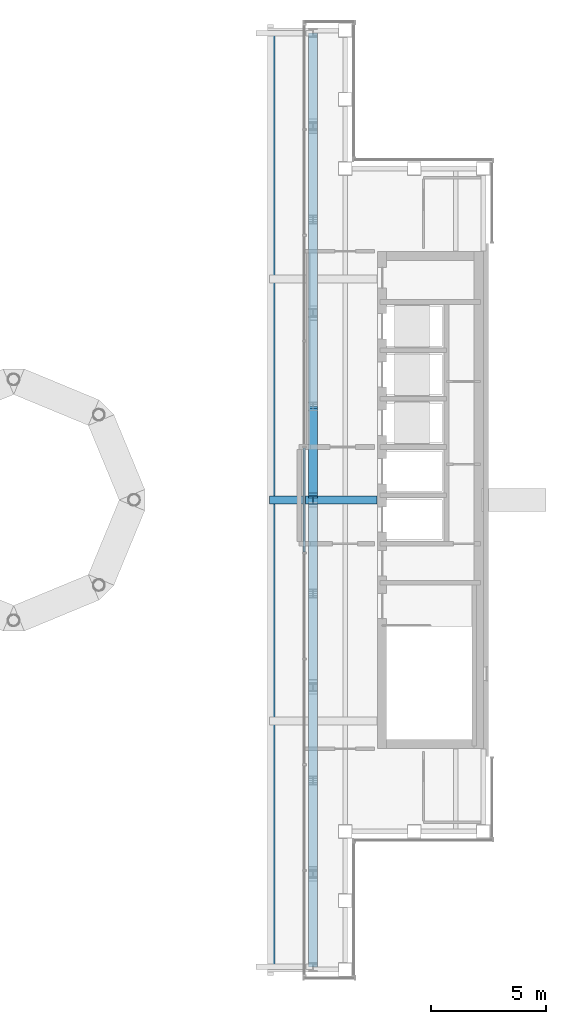
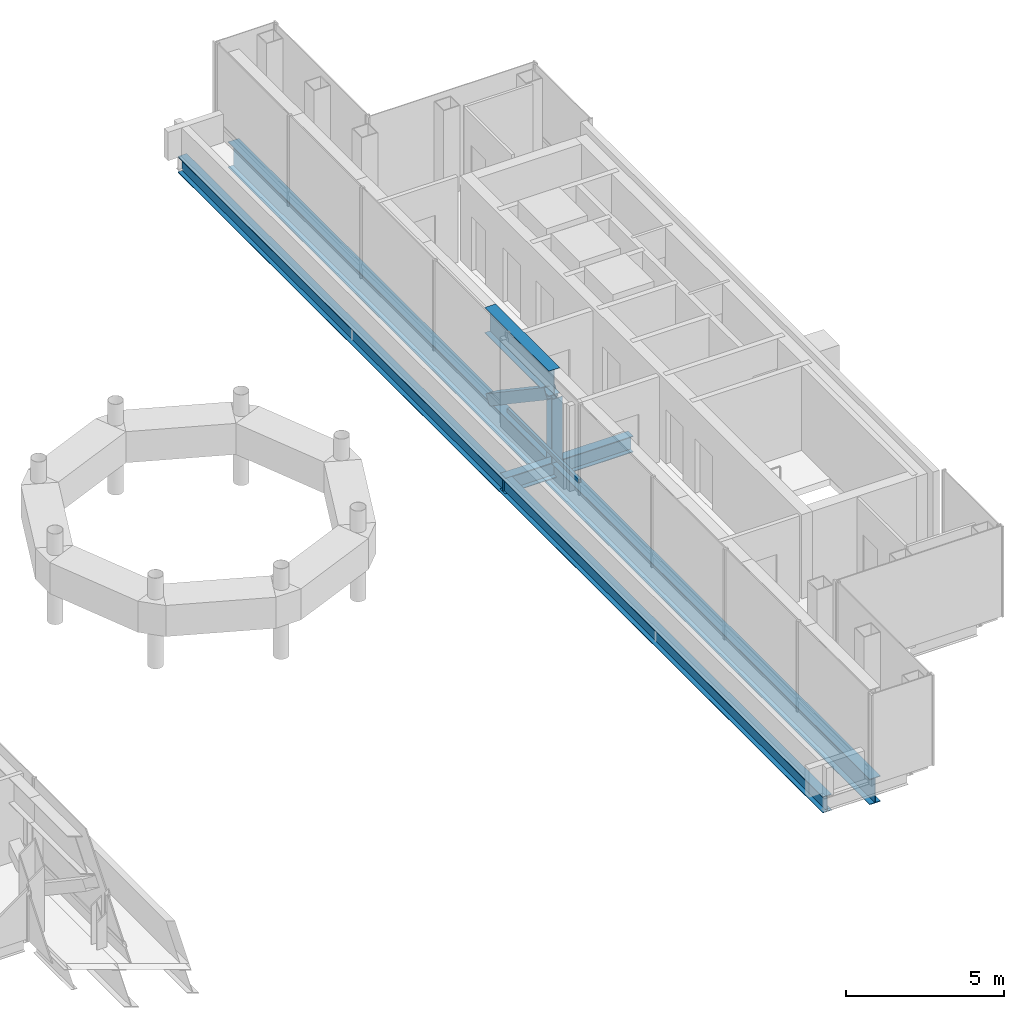
# One storey, part 7 of 16: 5 members, 2 beams, 1 element without a shape of its own.
"""IFC4 building model written with IfcOpenShell, lengths in metres."""

from ifc_helpers import new_model, si_unit, direction, frame, origin, origin_2d, place, context, subcontext, project, spatial, rectangle, hollow_rectangle, i_section, extrude, material, material_profile, profile_set, type_object, element, aggregate, save


model = new_model("IFC4")

# Units and contexts
model_context = context("Model", 3, precision=1e-05, world=origin(), true_north=direction((0.0, 1.0)))
body_context = subcontext(model_context, "Body", "Model", "MODEL_VIEW")
ifc_project = project(units=[si_unit("LENGTHUNIT", "METRE"), si_unit("AREAUNIT", "SQUARE_METRE"), si_unit("VOLUMEUNIT", "CUBIC_METRE"), si_unit("PLANEANGLEUNIT", "RADIAN"), si_unit("MASSUNIT", "GRAM", prefix="KILO")], contexts=[model_context])

# Site, building, storey
site_placement = place(None, origin())
site = spatial("IfcSite", under=ifc_project, at=site_placement, CompositionType="ELEMENT")
building_placement = place(site_placement, origin())
building = spatial("IfcBuilding", under=site, at=building_placement, Name="Cobrizo Arcos Hotel Tower", CompositionType="ELEMENT")
storey_placement = place(building_placement, frame((0.0, 0.0, 286.5)))
storey = spatial("IfcBuildingStorey", under=building, at=storey_placement, Name="L76", CompositionType="ELEMENT", Elevation=286.5)

# Curtain wall, member
ifc_material_1 = material(Name="Aluminium 6063-T6 anodised bronze", Category="aluminium")
curtain_wall_type = type_object("IfcCurtainWallType", Name="CW-C arch infill and crown glazing", PredefinedType="NOTDEFINED", material=ifc_material_1)
curtain_wall_placement = place(storey_placement, origin())
curtain_wall = element("IfcCurtainWall", 1, at=curtain_wall_placement, inside=storey, type_object=curtain_wall_type, Name="CW-C L76 W face", PredefinedType="NOTDEFINED")
ifc_material_profile_1 = material_profile(ifc_material_1, rectangle(XDim=0.10009765625, YDim=0.139892578125, at=origin_2d()), Name="CW-C transom 140x100")
ifc_profile_set_1 = profile_set([ifc_material_profile_1], Name="Aluminium 6063-T6 anodised bronze")
member_type_1 = type_object("IfcMemberType", Name="CW-C transom 140x100", PredefinedType="USERDEFINED", material=ifc_profile_set_1)
member_1_placement = place(storey_placement, frame((12.625, 2.264892578125, 0.5), z_axis=(0.0, -1.0, 0.0), x_axis=(1.0, 0.0, 0.0)))
member_1 = element("IfcMember", 2, at=member_1_placement, type_object=member_type_1, Name="CW-C transom 2397", ObjectType="TRANSOM", PredefinedType="USERDEFINED", context=body_context, shape_type="SweptSolid", body=[
    extrude(rectangle(XDim=0.10009765625, YDim=0.139892578125, at=origin_2d()), origin(), (0.0, 0.0, 1.0), 4.52978515625),
])
aggregate(curtain_wall, [member_1])

# Members
ifc_material_2 = material(Name="Steel ASTM A500 Grade C", Category="steel")
ifc_material_profile_2 = material_profile(ifc_material_2, hollow_rectangle(XDim=0.406494140625, YDim=0.406494140625, WallThickness=0.014892578125, at=origin_2d()), Name="HSS16X16X5/8")
ifc_profile_set_2 = profile_set([ifc_material_profile_2], Name="Steel ASTM A500 Grade C")
member_type_2 = type_object("IfcMemberType", Name="HSS16X16X5/8 crown edge truss diagonal", PredefinedType="BRACE", material=ifc_profile_set_2)
member_2_placement = place(storey_placement, frame((13.0, 0.199951171875, 2.309326171875), z_axis=(0.0, 0.829974292143, -0.557801644299), x_axis=(-1.0, 0.0, 0.0)))
element("IfcMember", 3, at=member_2_placement, inside=storey, type_object=member_type_2, Name="Crown truss diagonal CD1, east side, no. 05", PredefinedType="BRACE", context=body_context, shape_type="SweptSolid", body=[
    extrude(hollow_rectangle(XDim=0.406494140625, YDim=0.406494140625, WallThickness=0.014892578125, at=origin_2d()), origin(), (0.0, 0.0, 1.0), 4.40869140625),
])
ifc_material_3 = material(Name="Steel ASTM A992 Grade 50", Category="steel")
ifc_material_profile_3 = material_profile(ifc_material_3, i_section(OverallWidth=0.373291015625, OverallDepth=0.373291015625, WebThickness=0.016357421875, FlangeThickness=0.026123046875, at=origin_2d()), Name="W14X132")
ifc_profile_set_3 = profile_set([ifc_material_profile_3], Name="Steel ASTM A992 Grade 50")
member_type_3 = type_object("IfcMemberType", Name="W14X132 crown edge truss post", PredefinedType="POST", material=ifc_profile_set_3)
member_3_placement = place(storey_placement, frame((13.0, 0.0, -0.14990234375), z_axis=(0.0, 0.0, 1.0), x_axis=(1.0, 0.0, 0.0)))
element("IfcMember", 4, at=member_3_placement, inside=storey, type_object=member_type_3, Name="Crown truss post CP1, east side, no. 05", PredefinedType="POST", context=body_context, shape_type="SweptSolid", body=[
    extrude(i_section(OverallWidth=0.373291015625, OverallDepth=0.373291015625, WebThickness=0.016357421875, FlangeThickness=0.026123046875, at=origin_2d()), origin(), (0.0, 0.0, 1.0), 2.459228515625),
])

# Beams
ifc_material_profile_4 = material_profile(ifc_material_3, i_section(OverallWidth=0.32763671875, OverallDepth=0.622314453125, WebThickness=0.015380859375, FlangeThickness=0.0244140625, at=origin_2d()), Name="W24X131")
ifc_profile_set_4 = profile_set([ifc_material_profile_4], Name="Steel ASTM A992 Grade 50")
beam_type_1 = type_object("IfcBeamType", Name="W24X131 edge beam", PredefinedType="BEAM", material=ifc_profile_set_4)
beam_1_placement = place(storey_placement, frame((11.189697265625, -20.39990234375, -0.461181640625), z_axis=(0.0, 1.0, 0.0), x_axis=(-1.0, 0.0, 0.0)))
element("IfcBeam", 5, at=beam_1_placement, inside=storey, type_object=beam_type_1, Name="Edge beam EB1, L76, no. 002", PredefinedType="BEAM", context=body_context, shape_type="SweptSolid", body=[
    extrude(i_section(OverallWidth=0.32763671875, OverallDepth=0.622314453125, WebThickness=0.015380859375, FlangeThickness=0.0244140625, at=origin_2d()), origin(), (0.0, 0.0, 1.0), 40.7998046875),
])
ifc_material_profile_5 = material_profile(ifc_material_3, i_section(OverallWidth=0.32763671875, OverallDepth=0.622314453125, WebThickness=0.015380859375, FlangeThickness=0.0244140625, at=origin_2d()), Name="W24X131")
ifc_profile_set_5 = profile_set([ifc_material_profile_5], Name="Steel ASTM A992 Grade 50")
beam_type_2 = type_object("IfcBeamType", Name="W24X131 girder", PredefinedType="BEAM", material=ifc_profile_set_5)
beam_2_placement = place(storey_placement, frame((11.115966796875, 0.0, -0.461181640625), z_axis=(1.0, 0.0, 0.0), x_axis=(0.0, 1.0, 0.0)))
element("IfcBeam", 6, at=beam_2_placement, inside=storey, type_object=beam_type_2, Name="Floor girder G1, L76, no. 004", PredefinedType="BEAM", context=body_context, shape_type="SweptSolid", body=[
    extrude(i_section(OverallWidth=0.32763671875, OverallDepth=0.622314453125, WebThickness=0.015380859375, FlangeThickness=0.0244140625, at=origin_2d()), origin(), (0.0, 0.0, 1.0), 4.674072265625),
])

# Members
ifc_material_profile_6 = material_profile(ifc_material_3, i_section(OverallWidth=0.4013671875, OverallDepth=0.990478515625, WebThickness=0.0166015625, FlangeThickness=0.025390625, at=origin_2d()), Name="W40X215")
ifc_profile_set_6 = profile_set([ifc_material_profile_6], Name="Steel ASTM A992 Grade 50")
member_type_4 = type_object("IfcMemberType", Name="W40X215 crown edge truss chord", PredefinedType="CHORD", material=ifc_profile_set_6)
member_4_placement = place(storey_placement, frame((13.0, -20.29541015625, -0.645263671875), z_axis=(0.0, 1.0, 0.0), x_axis=(-1.0, 0.0, 0.0)))
element("IfcMember", 7, at=member_4_placement, inside=storey, type_object=member_type_4, Name="Crown truss bottom chord CC1, east side", PredefinedType="CHORD", context=body_context, shape_type="SweptSolid", body=[
    extrude(i_section(OverallWidth=0.4013671875, OverallDepth=0.990478515625, WebThickness=0.0166015625, FlangeThickness=0.025390625, at=origin_2d()), origin(), (0.0, 0.0, 1.0), 40.5908203125),
])
member_5_placement = place(storey_placement, frame((13.0, 0.0, 2.8046875), z_axis=(0.0, 1.0, 0.0), x_axis=(-1.0, 0.0, 0.0)))
element("IfcMember", 8, at=member_5_placement, inside=storey, type_object=member_type_4, Name="Crown truss top chord CC1, east side, no. 05", PredefinedType="CHORD", context=body_context, shape_type="SweptSolid", body=[
    extrude(i_section(OverallWidth=0.4013671875, OverallDepth=0.990478515625, WebThickness=0.0166015625, FlangeThickness=0.025390625, at=origin_2d()), origin(), (0.0, 0.0, 1.0), 4.05908203125),
])

save(model, "model.ifc")
